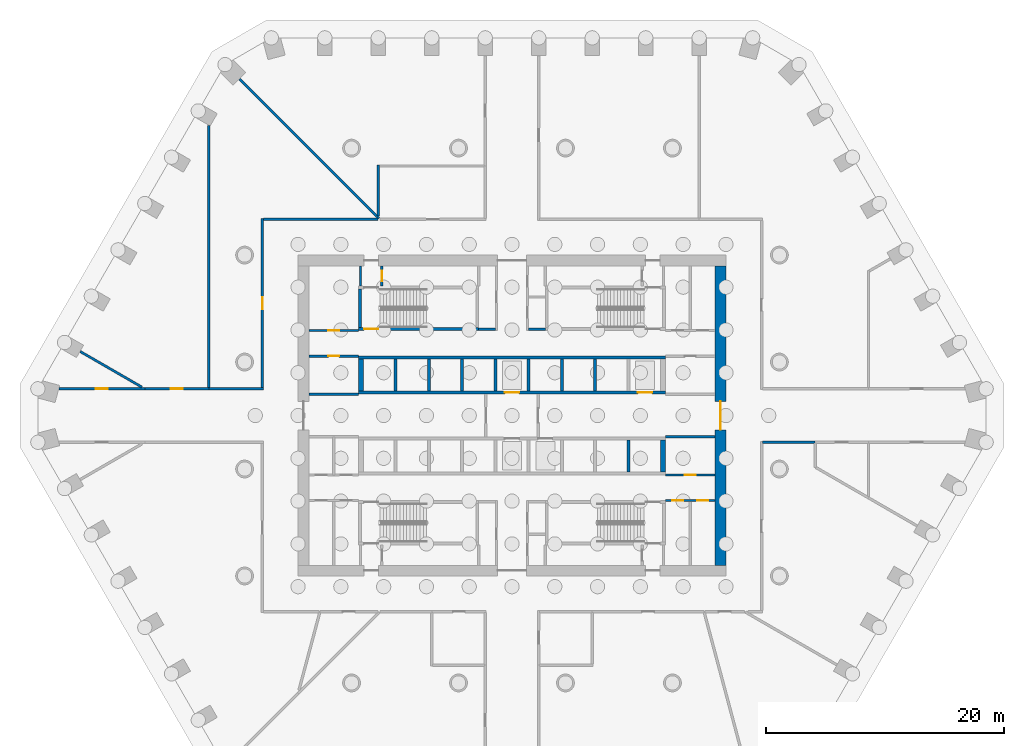
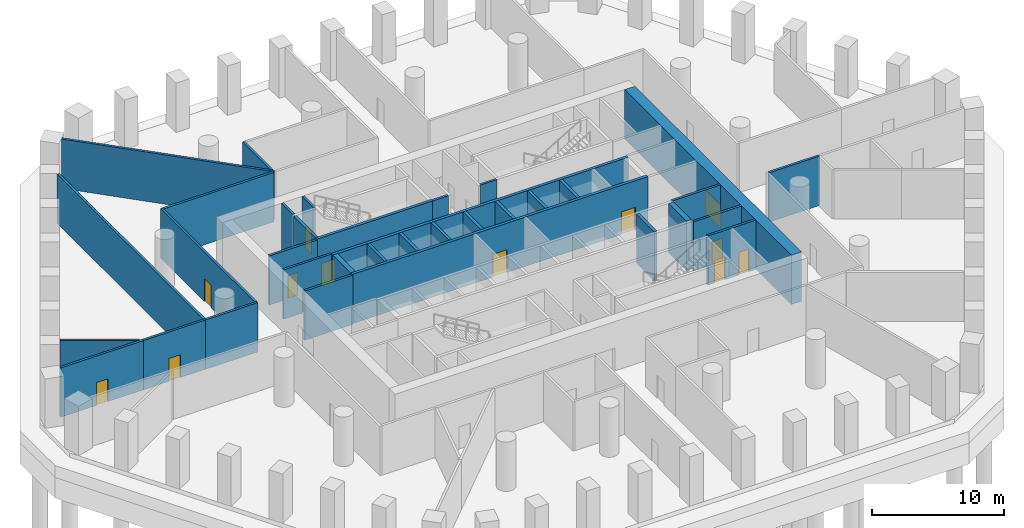
# One storey, part 5 of 9: 35 walls, 13 doors, 13 openings.
"""IFC4 building model written with IfcOpenShell, lengths in metres."""

from ifc_helpers import new_model, si_unit, direction, frame, frame_2d, origin, place, context, subcontext, project, spatial, polyline, rectangle, outline, extrude, material, layer, layer_set, type_object, element, fill, save


model = new_model("IFC4")

# Units and contexts
model_context = context("Model", 3, precision=1e-05, world=origin(), true_north=direction((0.0, 1.0)))
body_context = subcontext(model_context, "Body", "Model", "MODEL_VIEW")
ifc_project = project(units=[si_unit("LENGTHUNIT", "METRE"), si_unit("AREAUNIT", "SQUARE_METRE"), si_unit("VOLUMEUNIT", "CUBIC_METRE"), si_unit("PLANEANGLEUNIT", "RADIAN"), si_unit("MASSUNIT", "GRAM", prefix="KILO")], contexts=[model_context])

# Site, building, storey
site_placement = place(None, origin())
site = spatial("IfcSite", under=ifc_project, at=site_placement, CompositionType="ELEMENT")
building_placement = place(site_placement, origin())
building = spatial("IfcBuilding", under=site, at=building_placement, Name="Dhurran Vertical Campus", CompositionType="ELEMENT")
storey_placement = place(building_placement, frame((0.0, 0.0, -5.0)))
storey = spatial("IfcBuildingStorey", under=building, at=storey_placement, Name="B1", CompositionType="ELEMENT", Elevation=-5.0)

# Wall, opening, door
ifc_material_1 = material(Name="Concrete blockwork plant room wall, fire-rated", Category="masonry")
ifc_layer_1 = layer(ifc_material_1, 0.199951171875)
ifc_layer_set_1 = layer_set([ifc_layer_1], Name="Concrete blockwork plant room wall, fire-rated")
wall_type_1 = type_object("IfcWallType", Name="bs-PW-200 plant room wall", PredefinedType="PARTITIONING", material=ifc_layer_set_1)
wall_1_placement = place(storey_placement, frame((-38.115478515625, 2.25, 0.0), z_axis=(0.0, 0.0, 1.0), x_axis=(1.0, 0.0, 0.0)))
wall_1 = element("IfcWall", 1, at=wall_1_placement, inside=storey, type_object=wall_type_1, Name="Plant wall B1-02", PredefinedType="PARTITIONING", context=body_context, shape_type="SweptSolid", body=[
    extrude(rectangle(XDim=7.218505859375, YDim=0.199951171875, at=frame_2d((3.609375, 0.0))), origin(), (0.0, 0.0, 1.0), 4.550048828125),
])
opening_1_placement = place(wall_1_placement, frame((3.109130859375, 0.0, 0.0)))
opening_1 = element("IfcOpeningElement", 2, at=opening_1_placement, cuts=wall_1, Name="Opening BS.02", PredefinedType="OPENING", context=body_context, shape_type="SweptSolid", body=[
    extrude(rectangle(XDim=1.0, YDim=2.10009765625, at=frame_2d((0.5, 1.050048828125))), frame((0.0, 0.10986328125, 0.0), z_axis=(0.0, -1.0, 0.0), x_axis=(1.0, 0.0, 0.0)), (0.0, 0.0, 1.0), 0.219970703125),
])
ifc_material_2 = material(Name="Solid-core timber door set, fire-rated", Category="wood")
door_type_1 = type_object("IfcDoorType", Name="fl-D-1000x2100", OperationType="SINGLE_SWING_LEFT", PredefinedType="DOOR", material=ifc_material_2)
door_1_placement = place(opening_1_placement, origin())
door_1 = element("IfcDoor", 3, at=door_1_placement, inside=storey, type_object=door_type_1, Name="Door B1.02", OperationType="SINGLE_SWING_RIGHT", OverallHeight=2.10009765625, OverallWidth=1.0, PredefinedType="DOOR", context=body_context, shape_type="SweptSolid", body=[
    extrude(rectangle(XDim=1.0, YDim=2.10009765625, at=frame_2d((0.5, 1.050048828125))), frame((0.0, 0.02490234375, 0.0), z_axis=(0.0, -1.0, 0.0), x_axis=(1.0, 0.0, 0.0)), (0.0, 0.0, 1.0), 0.050048828125),
])
fill(opening_1, door_1)

# Wall
wall_2_placement = place(storey_placement, frame((-36.330810546875, 5.38720703125, 0.0), z_axis=(0.0, 0.0, 1.0), x_axis=(0.866018198007, -0.500012480565, 0.0)))
element("IfcWall", 4, at=wall_2_placement, inside=storey, type_object=wall_type_1, Name="Plant wall B1-04", PredefinedType="PARTITIONING", context=body_context, shape_type="SweptSolid", body=[
    extrude(rectangle(XDim=5.999267578125, YDim=0.199951171875, at=frame_2d((2.99951171875, 0.0))), origin(), (0.0, 0.0, 1.0), 4.550048828125),
])

# Wall, opening, door
wall_3_placement = place(storey_placement, frame((-30.89697265625, 2.25, 0.0), z_axis=(0.0, 0.0, 1.0), x_axis=(1.0, 0.0, 0.0)))
wall_3 = element("IfcWall", 5, at=wall_3_placement, inside=storey, type_object=wall_type_1, Name="Plant wall B1-06", PredefinedType="PARTITIONING", context=body_context, shape_type="SweptSolid", body=[
    extrude(rectangle(XDim=5.39697265625, YDim=0.199951171875, at=frame_2d((2.698486328125, 0.0))), origin(), (0.0, 0.0, 1.0), 4.550048828125),
])
opening_2_placement = place(wall_3_placement, frame((2.198486328125, 0.0, 0.0)))
opening_2 = element("IfcOpeningElement", 6, at=opening_2_placement, cuts=wall_3, Name="Opening BS.03", PredefinedType="OPENING", context=body_context, shape_type="SweptSolid", body=[
    extrude(rectangle(XDim=1.0, YDim=2.10009765625, at=frame_2d((0.5, 1.050048828125))), frame((0.0, 0.10986328125, 0.0), z_axis=(0.0, -1.0, 0.0), x_axis=(1.0, 0.0, 0.0)), (0.0, 0.0, 1.0), 0.219970703125),
])
door_2_placement = place(opening_2_placement, origin())
door_2 = element("IfcDoor", 7, at=door_2_placement, inside=storey, type_object=door_type_1, Name="Door B1.03", OperationType="SINGLE_SWING_LEFT", OverallHeight=2.10009765625, OverallWidth=1.0, PredefinedType="DOOR", context=body_context, shape_type="SweptSolid", body=[
    extrude(rectangle(XDim=1.0, YDim=2.10009765625, at=frame_2d((0.5, 1.050048828125))), frame((0.0, 0.02490234375, 0.0), z_axis=(0.0, -1.0, 0.0), x_axis=(1.0, 0.0, 0.0)), (0.0, 0.0, 1.0), 0.050048828125),
])
fill(opening_2, door_2)

# Walls
wall_4_placement = place(storey_placement, frame((-25.5, 24.398681640625, 0.0), z_axis=(0.0, 0.0, 1.0), x_axis=(0.0, -1.0, 0.0)))
element("IfcWall", 8, at=wall_4_placement, inside=storey, type_object=wall_type_1, Name="Plant wall B1-07", PredefinedType="PARTITIONING", context=body_context, shape_type="SweptSolid", body=[
    extrude(rectangle(XDim=22.07373046875, YDim=0.199951171875, at=frame_2d((11.036865234375, 0.0))), origin(), (0.0, 0.0, 1.0), 4.550048828125),
])
wall_5_placement = place(storey_placement, frame((-25.5, 2.25, 0.0), z_axis=(0.0, 0.0, 1.0), x_axis=(1.0, 0.0, 0.0)))
element("IfcWall", 9, at=wall_5_placement, inside=storey, type_object=wall_type_1, Name="Plant wall B1-08", PredefinedType="PARTITIONING", context=body_context, shape_type="SweptSolid", body=[
    extrude(rectangle(XDim=4.574951171875, YDim=0.199951171875, at=frame_2d((2.28759765625, 0.0))), origin(), (0.0, 0.0, 1.0), 4.550048828125),
])
wall_6_placement = place(storey_placement, frame((-22.93017578125, 28.31298828125, 0.0), z_axis=(0.0, 0.0, 1.0), x_axis=(0.707114137878, -0.707099424419, 0.0)))
element("IfcWall", 10, at=wall_6_placement, inside=storey, type_object=wall_type_1, Name="Plant wall B1-10", PredefinedType="PARTITIONING", context=body_context, shape_type="SweptSolid", body=[
    extrude(rectangle(XDim=16.593017578125, YDim=0.199951171875, at=frame_2d((8.29638671875, 0.0))), origin(), (0.0, 0.0, 1.0), 4.550048828125),
])

# Wall, opening, door
wall_7_placement = place(storey_placement, frame((-21.0, 16.574951171875, 0.0), z_axis=(0.0, 0.0, 1.0), x_axis=(0.0, -1.0, 0.0)))
wall_7 = element("IfcWall", 11, at=wall_7_placement, inside=storey, type_object=wall_type_1, Name="Plant wall B1-13", PredefinedType="PARTITIONING", context=body_context, shape_type="SweptSolid", body=[
    extrude(rectangle(XDim=14.25, YDim=0.199951171875, at=frame_2d((7.125, 0.0))), origin(), (0.0, 0.0, 1.0), 4.550048828125),
])
opening_3_placement = place(wall_7_placement, frame((6.625, 0.0, 0.0)))
opening_3 = element("IfcOpeningElement", 12, at=opening_3_placement, cuts=wall_7, Name="Opening BS.05", PredefinedType="OPENING", context=body_context, shape_type="SweptSolid", body=[
    extrude(rectangle(XDim=1.0, YDim=2.10009765625, at=frame_2d((0.5, 1.050048828125))), frame((0.0, 0.10986328125, 0.0), z_axis=(0.0, -1.0, 0.0), x_axis=(1.0, 0.0, 0.0)), (0.0, 0.0, 1.0), 0.219970703125),
])
door_3_placement = place(opening_3_placement, origin())
door_3 = element("IfcDoor", 13, at=door_3_placement, inside=storey, type_object=door_type_1, Name="Door B1.05", OperationType="SINGLE_SWING_LEFT", OverallHeight=2.10009765625, OverallWidth=1.0, PredefinedType="DOOR", context=body_context, shape_type="SweptSolid", body=[
    extrude(rectangle(XDim=1.0, YDim=2.10009765625, at=frame_2d((0.5, 1.050048828125))), frame((0.0, 0.02490234375, 0.0), z_axis=(0.0, -1.0, 0.0), x_axis=(1.0, 0.0, 0.0)), (0.0, 0.0, 1.0), 0.050048828125),
])
fill(opening_3, door_3)

# Walls
wall_8_placement = place(storey_placement, frame((-11.294921875, 16.5, 0.0), z_axis=(0.0, 0.0, 1.0), x_axis=(-1.0, 0.0, 0.0)))
element("IfcWall", 14, at=wall_8_placement, inside=storey, type_object=wall_type_1, Name="Plant wall B1-14", PredefinedType="PARTITIONING", context=body_context, shape_type="SweptSolid", body=[
    extrude(rectangle(XDim=9.630126953125, YDim=0.199951171875, at=frame_2d((4.81494140625, 0.0))), origin(), (0.0, 0.0, 1.0), 4.550048828125),
])
wall_9_placement = place(storey_placement, frame((-11.25, 21.074951171875, 0.0), z_axis=(0.0, 0.0, 1.0), x_axis=(0.0, -1.0, 0.0)))
element("IfcWall", 15, at=wall_9_placement, inside=storey, type_object=wall_type_1, Name="Plant wall B1-18", PredefinedType="PARTITIONING", context=body_context, shape_type="SweptSolid", body=[
    extrude(rectangle(XDim=4.266845703125, YDim=0.199951171875, at=frame_2d((2.13330078125, 0.0))), origin(), (0.0, 0.0, 1.0), 4.550048828125),
])
wall_10_placement = place(storey_placement, frame((25.5, -2.25, 0.0), z_axis=(0.0, 0.0, 1.0), x_axis=(-1.0, 0.0, 0.0)))
element("IfcWall", 16, at=wall_10_placement, inside=storey, type_object=wall_type_1, Name="Plant wall B1-44", PredefinedType="PARTITIONING", context=body_context, shape_type="SweptSolid", body=[
    extrude(rectangle(XDim=4.425048828125, YDim=0.199951171875, at=frame_2d((2.21240234375, 0.0))), origin(), (0.0, 0.0, 1.0), 4.550048828125),
])

# Wall, opening, door
ifc_material_3 = material(Name="Concrete C60/75", Category="concrete")
ifc_layer_2 = layer(ifc_material_3, 0.89990234375)
ifc_layer_set_2 = layer_set([ifc_layer_2], Name="Concrete C60/75")
wall_type_2 = type_object("IfcWallType", Name="co-CORE-WALL-C0-900", PredefinedType="SHEAR", material=ifc_layer_set_2)
wall_11_placement = place(storey_placement, frame((17.550048828125, -12.60009765625, 0.0), z_axis=(0.0, 0.0, 1.0), x_axis=(0.0, 1.0, 0.0)))
wall_11 = element("IfcWall", 17, at=wall_11_placement, inside=storey, type_object=wall_type_2, Name="Core wall E B1", PredefinedType="SHEAR", context=body_context, shape_type="SweptSolid", body=[
    extrude(rectangle(XDim=25.2001953125, YDim=0.89990234375, at=frame_2d((12.60009765625, 0.0))), origin(), (0.0, 0.0, 1.0), 4.550048828125),
])
opening_4_placement = place(wall_11_placement, frame((11.39990234375, 0.0, 0.0)))
opening_4 = element("IfcOpeningElement", 18, at=opening_4_placement, cuts=wall_11, Name="Opening CL2", PredefinedType="OPENING", context=body_context, shape_type="SweptSolid", body=[
    extrude(rectangle(XDim=2.39990234375, YDim=2.10009765625, at=frame_2d((1.199951171875, 1.050048828125))), frame((0.0, 0.4599609375, 0.0), z_axis=(0.0, -1.0, 0.0), x_axis=(1.0, 0.0, 0.0)), (0.0, 0.0, 1.0), 0.919921875),
])
ifc_material_4 = material(Name="Fire-rated glazed door set")
door_type_2 = type_object("IfcDoorType", Name="co-D-LOBBY 2400x2100", OperationType="DOUBLE_DOOR_DOUBLE_SWING", PredefinedType="DOOR", material=ifc_material_4)
door_4_placement = place(opening_4_placement, origin())
door_4 = element("IfcDoor", 19, at=door_4_placement, inside=storey, type_object=door_type_2, Name="Lift lobby door E B1", OperationType="DOUBLE_DOOR_DOUBLE_SWING", OverallHeight=2.10009765625, OverallWidth=2.39990234375, PredefinedType="DOOR", context=body_context, shape_type="SweptSolid", body=[
    extrude(rectangle(XDim=2.39990234375, YDim=2.10009765625, at=frame_2d((1.199951171875, 1.050048828125))), frame((0.0, 0.02490234375, 0.0), z_axis=(0.0, -1.0, 0.0), x_axis=(1.0, 0.0, 0.0)), (0.0, 0.0, 1.0), 0.050048828125),
])
fill(opening_4, door_4)

# Walls
ifc_material_5 = material(Name="Fire-rated masonry blockwork", Category="masonry")
ifc_layer_3 = layer(ifc_material_5, 0.199951171875)
ifc_layer_set_3 = layer_set([ifc_layer_3], Name="Fire-rated masonry blockwork")
wall_type_3 = type_object("IfcWallType", Name="co-FIRE-PARTITION-200", PredefinedType="PARTITIONING", material=ifc_layer_set_3)
for number, where, z_axis, x_axis, name in (
    (20, (-2.800048828125, 7.25, 0.0), (0.0, 0.0, 1.0), (1.0, 0.0, 0.0), "Core partition sl-NW-S B1"),
    (21, (1.39990234375, 7.25, 0.0), (0.0, 0.0, 1.0), (1.0, 0.0, 0.0), "Core partition sl-NE-S B1"),
):
    element("IfcWall", number, at=place(storey_placement, frame(where, z_axis=z_axis, x_axis=x_axis)), inside=storey, type_object=wall_type_3, Name=name, PredefinedType="PARTITIONING", context=body_context, shape_type="SweptSolid", body=[
        extrude(rectangle(XDim=1.400146484375, YDim=0.199951171875, at=frame_2d((0.7001953125, 0.0))), origin(), (0.0, 0.0, 1.0), 4.550048828125),
    ])
wall_12_placement = place(storey_placement, frame((-12.75, 10.89990234375, 0.0), z_axis=(0.0, 0.0, 1.0), x_axis=(0.0, 1.0, 0.0)))
element("IfcWall", 22, at=wall_12_placement, inside=storey, type_object=wall_type_3, Name="Core partition pass-ST1-o B1", PredefinedType="PARTITIONING", context=body_context, shape_type="SweptSolid", body=[
    extrude(rectangle(XDim=1.7001953125, YDim=0.199951171875, at=frame_2d((0.85009765625, 0.0))), origin(), (0.0, 0.0, 1.0), 4.550048828125),
])

# Wall, opening, door
wall_13_placement = place(storey_placement, frame((-10.949951171875, 10.89990234375, 0.0), z_axis=(0.0, 0.0, 1.0), x_axis=(0.0, 1.0, 0.0)))
wall_13 = element("IfcWall", 23, at=wall_13_placement, inside=storey, type_object=wall_type_3, Name="Core partition pass-ST1-i B1", PredefinedType="PARTITIONING", context=body_context, shape_type="SweptSolid", body=[
    extrude(rectangle(XDim=1.7001953125, YDim=0.199951171875, at=frame_2d((0.85009765625, 0.0))), origin(), (0.0, 0.0, 1.0), 4.550048828125),
])
opening_5_placement = place(wall_13_placement, frame((0.39990234375, 0.0, 0.0)))
opening_5 = element("IfcOpeningElement", 24, at=opening_5_placement, cuts=wall_13, Name="Opening BSMT-C7", PredefinedType="OPENING", context=body_context, shape_type="SweptSolid", body=[
    extrude(rectangle(XDim=0.89990234375, YDim=2.10009765625, at=frame_2d((0.449951171875, 1.050048828125))), frame((0.0, 0.10986328125, 0.0), z_axis=(0.0, -1.0, 0.0), x_axis=(1.0, 0.0, 0.0)), (0.0, 0.0, 1.0), 0.219970703125),
])
ifc_material_6 = material(Name="Fire-rated timber door set", Category="wood")
door_type_3 = type_object("IfcDoorType", Name="co-D-ROOM 900x2100", OperationType="SINGLE_SWING_LEFT", PredefinedType="DOOR", material=ifc_material_6)
door_5_placement = place(opening_5_placement, origin())
door_5 = element("IfcDoor", 25, at=door_5_placement, inside=storey, type_object=door_type_3, Name="Riser room door B1", OperationType="SINGLE_SWING_LEFT", OverallHeight=2.10009765625, OverallWidth=0.89990234375, PredefinedType="DOOR", context=body_context, shape_type="SweptSolid", body=[
    extrude(rectangle(XDim=0.89990234375, YDim=2.10009765625, at=frame_2d((0.449951171875, 1.050048828125))), frame((0.0, 0.02490234375, 0.0), z_axis=(0.0, -1.0, 0.0), x_axis=(1.0, 0.0, 0.0)), (0.0, 0.0, 1.0), 0.050048828125),
])
fill(opening_5, door_5)

wall_14_placement = place(storey_placement, frame((-17.10009765625, 7.14990234375, 0.0), z_axis=(0.0, 0.0, 1.0), x_axis=(1.0, 0.0, 0.0)))
wall_14 = element("IfcWall", 26, at=wall_14_placement, inside=storey, type_object=wall_type_3, Name="Core partition en-NW-w B1", PredefinedType="PARTITIONING", context=body_context, shape_type="SweptSolid", body=[
    extrude(rectangle(XDim=4.2001953125, YDim=0.199951171875, at=frame_2d((2.10009765625, 0.0))), origin(), (0.0, 0.0, 1.0), 4.550048828125),
])
opening_6_placement = place(wall_14_placement, frame((1.64990234375, 0.0, 0.0)))
opening_6 = element("IfcOpeningElement", 27, at=opening_6_placement, cuts=wall_14, Name="Opening BSMT-C11", PredefinedType="OPENING", context=body_context, shape_type="SweptSolid", body=[
    extrude(rectangle(XDim=0.89990234375, YDim=2.10009765625, at=frame_2d((0.449951171875, 1.050048828125))), frame((0.0, 0.10986328125, 0.0), z_axis=(0.0, -1.0, 0.0), x_axis=(1.0, 0.0, 0.0)), (0.0, 0.0, 1.0), 0.219970703125),
])
door_6_placement = place(opening_6_placement, origin())
door_6 = element("IfcDoor", 28, at=door_6_placement, inside=storey, type_object=door_type_3, Name="Pantry door B1", OperationType="SINGLE_SWING_LEFT", OverallHeight=2.10009765625, OverallWidth=0.89990234375, PredefinedType="DOOR", context=body_context, shape_type="SweptSolid", body=[
    extrude(rectangle(XDim=0.89990234375, YDim=2.10009765625, at=frame_2d((0.449951171875, 1.050048828125))), frame((0.0, 0.02490234375, 0.0), z_axis=(0.0, -1.0, 0.0), x_axis=(1.0, 0.0, 0.0)), (0.0, 0.0, 1.0), 0.050048828125),
])
fill(opening_6, door_6)

wall_15_placement = place(storey_placement, frame((-17.10009765625, 5.0, 0.0), z_axis=(0.0, 0.0, 1.0), x_axis=(1.0, 0.0, 0.0)))
wall_15 = element("IfcWall", 29, at=wall_15_placement, inside=storey, type_object=wall_type_3, Name="Core partition es-NW-w B1", PredefinedType="PARTITIONING", context=body_context, shape_type="SweptSolid", body=[
    extrude(rectangle(XDim=4.2001953125, YDim=0.199951171875, at=frame_2d((2.10009765625, 0.0))), origin(), (0.0, 0.0, 1.0), 4.550048828125),
])
opening_7_placement = place(wall_15_placement, frame((1.64990234375, 0.0, 0.0)))
opening_7 = element("IfcOpeningElement", 30, at=opening_7_placement, cuts=wall_15, Name="Opening BSMT-C12", PredefinedType="OPENING", context=body_context, shape_type="SweptSolid", body=[
    extrude(rectangle(XDim=0.89990234375, YDim=2.10009765625, at=frame_2d((0.449951171875, 1.050048828125))), frame((0.0, 0.10986328125, 0.0), z_axis=(0.0, -1.0, 0.0), x_axis=(1.0, 0.0, 0.0)), (0.0, 0.0, 1.0), 0.219970703125),
])
door_7_placement = place(opening_7_placement, origin())
door_7 = element("IfcDoor", 31, at=door_7_placement, inside=storey, type_object=door_type_3, Name="Housekeeping store door B1", OperationType="SINGLE_SWING_LEFT", OverallHeight=2.10009765625, OverallWidth=0.89990234375, PredefinedType="DOOR", context=body_context, shape_type="SweptSolid", body=[
    extrude(rectangle(XDim=0.89990234375, YDim=2.10009765625, at=frame_2d((0.449951171875, 1.050048828125))), frame((0.0, 0.02490234375, 0.0), z_axis=(0.0, -1.0, 0.0), x_axis=(1.0, 0.0, 0.0)), (0.0, 0.0, 1.0), 0.050048828125),
])
fill(opening_7, door_7)

# Wall
wall_16_placement = place(storey_placement, frame((-17.10009765625, 1.800048828125, 0.0), z_axis=(0.0, 0.0, 1.0), x_axis=(1.0, 0.0, 0.0)))
element("IfcWall", 32, at=wall_16_placement, inside=storey, type_object=wall_type_3, Name="Core partition es-NW-l B1", PredefinedType="PARTITIONING", context=body_context, shape_type="SweptSolid", body=[
    extrude(rectangle(XDim=4.2001953125, YDim=0.199951171875, at=frame_2d((2.10009765625, 0.0))), origin(), (0.0, 0.0, 1.0), 4.550048828125),
])

# Wall, openings, doors
wall_17_placement = place(storey_placement, frame((12.89990234375, -7.14990234375, 0.0), z_axis=(0.0, 0.0, 1.0), x_axis=(1.0, 0.0, 0.0)))
wall_17 = element("IfcWall", 33, at=wall_17_placement, inside=storey, type_object=wall_type_3, Name="Core partition en-SE-w B1", PredefinedType="PARTITIONING", context=body_context, shape_type="SweptSolid", body=[
    extrude(rectangle(XDim=4.2001953125, YDim=0.199951171875, at=frame_2d((2.10009765625, 0.0))), origin(), (0.0, 0.0, 1.0), 4.550048828125),
])
opening_8_placement = place(wall_17_placement, frame((0.60009765625, 0.0, 0.0)))
opening_8 = element("IfcOpeningElement", 34, at=opening_8_placement, cuts=wall_17, Name="Opening BSMT-C20", PredefinedType="OPENING", context=body_context, shape_type="SweptSolid", body=[
    extrude(rectangle(XDim=0.89990234375, YDim=2.10009765625, at=frame_2d((0.449951171875, 1.050048828125))), frame((0.0, 0.10986328125, 0.0), z_axis=(0.0, -1.0, 0.0), x_axis=(1.0, 0.0, 0.0)), (0.0, 0.0, 1.0), 0.219970703125),
])
opening_9_placement = place(wall_17_placement, frame((2.699951171875, 0.0, 0.0)))
opening_9 = element("IfcOpeningElement", 35, at=opening_9_placement, cuts=wall_17, Name="Opening BSMT-C21", PredefinedType="OPENING", context=body_context, shape_type="SweptSolid", body=[
    extrude(rectangle(XDim=0.89990234375, YDim=2.10009765625, at=frame_2d((0.449951171875, 1.050048828125))), frame((0.0, 0.10986328125, 0.0), z_axis=(0.0, -1.0, 0.0), x_axis=(1.0, 0.0, 0.0)), (0.0, 0.0, 1.0), 0.219970703125),
])
door_8_placement = place(opening_8_placement, origin())
door_8 = element("IfcDoor", 36, at=door_8_placement, inside=storey, type_object=door_type_3, Name="Electrical riser door B1", OperationType="SINGLE_SWING_LEFT", OverallHeight=2.10009765625, OverallWidth=0.89990234375, PredefinedType="DOOR", context=body_context, shape_type="SweptSolid", body=[
    extrude(rectangle(XDim=0.89990234375, YDim=2.10009765625, at=frame_2d((0.449951171875, 1.050048828125))), frame((0.0, 0.02490234375, 0.0), z_axis=(0.0, -1.0, 0.0), x_axis=(1.0, 0.0, 0.0)), (0.0, 0.0, 1.0), 0.050048828125),
])
fill(opening_8, door_8)
door_9_placement = place(opening_9_placement, origin())
door_9 = element("IfcDoor", 37, at=door_9_placement, inside=storey, type_object=door_type_3, Name="Server room door B1", OperationType="SINGLE_SWING_LEFT", OverallHeight=2.10009765625, OverallWidth=0.89990234375, PredefinedType="DOOR", context=body_context, shape_type="SweptSolid", body=[
    extrude(rectangle(XDim=0.89990234375, YDim=2.10009765625, at=frame_2d((0.449951171875, 1.050048828125))), frame((0.0, 0.02490234375, 0.0), z_axis=(0.0, -1.0, 0.0), x_axis=(1.0, 0.0, 0.0)), (0.0, 0.0, 1.0), 0.050048828125),
])
fill(opening_9, door_9)

# Wall, opening, door
wall_18_placement = place(storey_placement, frame((12.89990234375, -5.0, 0.0), z_axis=(0.0, 0.0, 1.0), x_axis=(1.0, 0.0, 0.0)))
wall_18 = element("IfcWall", 38, at=wall_18_placement, inside=storey, type_object=wall_type_3, Name="Core partition es-SE-w B1", PredefinedType="PARTITIONING", context=body_context, shape_type="SweptSolid", body=[
    extrude(rectangle(XDim=4.2001953125, YDim=0.199951171875, at=frame_2d((2.10009765625, 0.0))), origin(), (0.0, 0.0, 1.0), 4.550048828125),
])
opening_10_placement = place(wall_18_placement, frame((1.64990234375, 0.0, 0.0)))
opening_10 = element("IfcOpeningElement", 39, at=opening_10_placement, cuts=wall_18, Name="Opening BSMT-C22", PredefinedType="OPENING", context=body_context, shape_type="SweptSolid", body=[
    extrude(rectangle(XDim=0.89990234375, YDim=2.10009765625, at=frame_2d((0.449951171875, 1.050048828125))), frame((0.0, 0.10986328125, 0.0), z_axis=(0.0, -1.0, 0.0), x_axis=(1.0, 0.0, 0.0)), (0.0, 0.0, 1.0), 0.219970703125),
])
door_10_placement = place(opening_10_placement, origin())
door_10 = element("IfcDoor", 40, at=door_10_placement, inside=storey, type_object=door_type_3, Name="Pantry door B1", OperationType="SINGLE_SWING_LEFT", OverallHeight=2.10009765625, OverallWidth=0.89990234375, PredefinedType="DOOR", context=body_context, shape_type="SweptSolid", body=[
    extrude(rectangle(XDim=0.89990234375, YDim=2.10009765625, at=frame_2d((0.449951171875, 1.050048828125))), frame((0.0, 0.02490234375, 0.0), z_axis=(0.0, -1.0, 0.0), x_axis=(1.0, 0.0, 0.0)), (0.0, 0.0, 1.0), 0.050048828125),
])
fill(opening_10, door_10)

# Wall
wall_19_placement = place(storey_placement, frame((12.89990234375, -1.800048828125, 0.0), z_axis=(0.0, 0.0, 1.0), x_axis=(1.0, 0.0, 0.0)))
element("IfcWall", 41, at=wall_19_placement, inside=storey, type_object=wall_type_3, Name="Core partition es-SE-l B1", PredefinedType="PARTITIONING", context=body_context, shape_type="SweptSolid", body=[
    extrude(rectangle(XDim=4.2001953125, YDim=0.199951171875, at=frame_2d((2.10009765625, 0.0))), origin(), (0.0, 0.0, 1.0), 4.550048828125),
])

# Wall, openings, doors
ifc_material_7 = material(Name="Concrete C50/60", Category="concrete")
ifc_layer_4 = layer(ifc_material_7, 0.25)
ifc_layer_set_4 = layer_set([ifc_layer_4], Name="Concrete C50/60")
wall_type_4 = type_object("IfcWallType", Name="co-SHAFT-FRONT-250", PredefinedType="SHEAR", material=ifc_layer_set_4)
wall_20_placement = place(storey_placement, frame((-12.89990234375, 1.925048828125, 0.0), z_axis=(0.0, 0.0, 1.0), x_axis=(1.0, 0.0, 0.0)))
wall_20 = element("IfcWall", 42, at=wall_20_placement, inside=storey, type_object=wall_type_4, Name="Lift landing wall N B1", PredefinedType="SHEAR", context=body_context, shape_type="SweptSolid", body=[
    extrude(rectangle(XDim=25.7998046875, YDim=0.25, at=frame_2d((12.89990234375, 0.0))), origin(), (0.0, 0.0, 1.0), 4.550048828125),
])
opening_11_placement = place(wall_20_placement, frame((12.300048828125, 0.0, 0.0)))
opening_11 = element("IfcOpeningElement", 43, at=opening_11_placement, cuts=wall_20, Name="Opening LD", PredefinedType="OPENING", context=body_context, shape_type="SweptSolid", body=[
    extrude(rectangle(XDim=1.199951171875, YDim=2.10009765625, at=frame_2d((0.60009765625, 1.050048828125))), frame((0.0, 0.135009765625, 0.0), z_axis=(0.0, -1.0, 0.0), x_axis=(1.0, 0.0, 0.0)), (0.0, 0.0, 1.0), 0.27001953125),
])
opening_12_placement = place(wall_20_placement, frame((23.5, 0.0, 0.0)))
opening_12 = element("IfcOpeningElement", 44, at=opening_12_placement, cuts=wall_20, Name="Opening LD", PredefinedType="OPENING", context=body_context, shape_type="SweptSolid", body=[
    extrude(rectangle(XDim=1.199951171875, YDim=2.10009765625, at=frame_2d((0.60009765625, 1.050048828125))), frame((0.0, 0.135009765625, 0.0), z_axis=(0.0, -1.0, 0.0), x_axis=(1.0, 0.0, 0.0)), (0.0, 0.0, 1.0), 0.27001953125),
])
ifc_material_8 = material(Name="Stainless steel landing door", Category="steel")
door_type_4 = type_object("IfcDoorType", Name="co-D-LANDING 1200x2100", OperationType="DOUBLE_DOOR_SLIDING", PredefinedType="DOOR", material=ifc_material_8)
door_11_placement = place(opening_11_placement, origin())
door_11 = element("IfcDoor", 45, at=door_11_placement, inside=storey, type_object=door_type_4, Name="Landing door FF1 B1", OperationType="DOUBLE_DOOR_SLIDING", OverallHeight=2.10009765625, OverallWidth=1.199951171875, PredefinedType="DOOR", context=body_context, shape_type="SweptSolid", body=[
    extrude(rectangle(XDim=1.199951171875, YDim=2.10009765625, at=frame_2d((0.60009765625, 1.050048828125))), frame((0.0, 0.02490234375, 0.0), z_axis=(0.0, -1.0, 0.0), x_axis=(1.0, 0.0, 0.0)), (0.0, 0.0, 1.0), 0.050048828125),
])
fill(opening_11, door_11)
door_12_placement = place(opening_12_placement, origin())
door_12 = element("IfcDoor", 46, at=door_12_placement, inside=storey, type_object=door_type_4, Name="Landing door SV2 B1", OperationType="DOUBLE_DOOR_SLIDING", OverallHeight=2.10009765625, OverallWidth=1.199951171875, PredefinedType="DOOR", context=body_context, shape_type="SweptSolid", body=[
    extrude(rectangle(XDim=1.199951171875, YDim=2.10009765625, at=frame_2d((0.60009765625, 1.050048828125))), frame((0.0, 0.02490234375, 0.0), z_axis=(0.0, -1.0, 0.0), x_axis=(1.0, 0.0, 0.0)), (0.0, 0.0, 1.0), 0.050048828125),
])
fill(opening_12, door_12)

# Walls
ifc_material_9 = material(Name="Concrete C50/60", Category="concrete")
ifc_layer_5 = layer(ifc_material_9, 0.25)
ifc_layer_set_5 = layer_set([ifc_layer_5], Name="Concrete C50/60")
wall_type_5 = type_object("IfcWallType", Name="co-SHAFT-MASS-250", PredefinedType="SHEAR", material=ifc_layer_set_5)
wall_21_placement = place(storey_placement, origin())
element("IfcWall", 47, at=wall_21_placement, inside=storey, type_object=wall_type_5, Name="Lift shaft wall N B1 1", PredefinedType="SHEAR", context=body_context, shape_type="SweptSolid", body=[
    extrude(outline(polyline([(-12.89990234375, 4.75), (12.89990234375, 4.75), (12.89990234375, 5.0), (-12.89990234375, 5.0), (-12.89990234375, 4.75)])), origin(), (0.0, 0.0, 1.0), 4.550048828125),
])
wall_22_placement = place(storey_placement, origin())
element("IfcWall", 48, at=wall_22_placement, inside=storey, type_object=wall_type_5, Name="Lift shaft wall N B1 2", PredefinedType="SHEAR", context=body_context, shape_type="SweptSolid", body=[
    extrude(outline(polyline([(-12.89990234375, 2.050048828125), (-12.47509765625, 2.050048828125), (-12.47509765625, 4.75), (-12.89990234375, 4.75), (-12.89990234375, 2.050048828125)])), origin(), (0.0, 0.0, 1.0), 4.550048828125),
])
wall_23_placement = place(storey_placement, origin())
element("IfcWall", 49, at=wall_23_placement, inside=storey, type_object=wall_type_5, Name="Lift shaft wall N B1 3", PredefinedType="SHEAR", context=body_context, shape_type="SweptSolid", body=[
    extrude(outline(polyline([(-9.925048828125, 2.050048828125), (-9.675048828125, 2.050048828125), (-9.675048828125, 4.75), (-9.925048828125, 4.75), (-9.925048828125, 2.050048828125)])), origin(), (0.0, 0.0, 1.0), 4.550048828125),
])
wall_24_placement = place(storey_placement, origin())
element("IfcWall", 50, at=wall_24_placement, inside=storey, type_object=wall_type_5, Name="Lift shaft wall N B1 4", PredefinedType="SHEAR", context=body_context, shape_type="SweptSolid", body=[
    extrude(outline(polyline([(-7.125, 2.050048828125), (-6.875, 2.050048828125), (-6.875, 4.75), (-7.125, 4.75), (-7.125, 2.050048828125)])), origin(), (0.0, 0.0, 1.0), 4.550048828125),
])
wall_25_placement = place(storey_placement, origin())
element("IfcWall", 51, at=wall_25_placement, inside=storey, type_object=wall_type_5, Name="Lift shaft wall N B1 5", PredefinedType="SHEAR", context=body_context, shape_type="SweptSolid", body=[
    extrude(outline(polyline([(-4.324951171875, 2.050048828125), (-4.074951171875, 2.050048828125), (-4.074951171875, 4.75), (-4.324951171875, 4.75), (-4.324951171875, 2.050048828125)])), origin(), (0.0, 0.0, 1.0), 4.550048828125),
])
wall_26_placement = place(storey_placement, origin())
element("IfcWall", 52, at=wall_26_placement, inside=storey, type_object=wall_type_5, Name="Lift shaft wall N B1 6", PredefinedType="SHEAR", context=body_context, shape_type="SweptSolid", body=[
    extrude(outline(polyline([(-1.52490234375, 2.050048828125), (-1.27490234375, 2.050048828125), (-1.27490234375, 4.75), (-1.52490234375, 4.75), (-1.52490234375, 2.050048828125)])), origin(), (0.0, 0.0, 1.0), 4.550048828125),
])
wall_27_placement = place(storey_placement, origin())
element("IfcWall", 53, at=wall_27_placement, inside=storey, type_object=wall_type_5, Name="Lift shaft wall N B1 7", PredefinedType="SHEAR", context=body_context, shape_type="SweptSolid", body=[
    extrude(outline(polyline([(1.27490234375, 2.050048828125), (1.52490234375, 2.050048828125), (1.52490234375, 4.75), (1.27490234375, 4.75), (1.27490234375, 2.050048828125)])), origin(), (0.0, 0.0, 1.0), 4.550048828125),
])
wall_28_placement = place(storey_placement, origin())
element("IfcWall", 54, at=wall_28_placement, inside=storey, type_object=wall_type_5, Name="Lift shaft wall N B1 8", PredefinedType="SHEAR", context=body_context, shape_type="SweptSolid", body=[
    extrude(outline(polyline([(4.074951171875, 2.050048828125), (4.324951171875, 2.050048828125), (4.324951171875, 4.75), (4.074951171875, 4.75), (4.074951171875, 2.050048828125)])), origin(), (0.0, 0.0, 1.0), 4.550048828125),
])
wall_29_placement = place(storey_placement, origin())
element("IfcWall", 55, at=wall_29_placement, inside=storey, type_object=wall_type_5, Name="Lift shaft wall N B1 9", PredefinedType="SHEAR", context=body_context, shape_type="SweptSolid", body=[
    extrude(outline(polyline([(6.875, 2.050048828125), (7.125, 2.050048828125), (7.125, 4.75), (6.875, 4.75), (6.875, 2.050048828125)])), origin(), (0.0, 0.0, 1.0), 4.550048828125),
])
wall_30_placement = place(storey_placement, origin())
element("IfcWall", 56, at=wall_30_placement, inside=storey, type_object=wall_type_5, Name="Lift shaft wall S B1 10", PredefinedType="SHEAR", context=body_context, shape_type="SweptSolid", body=[
    extrude(outline(polyline([(9.675048828125, -4.75), (9.925048828125, -4.75), (9.925048828125, -2.050048828125), (9.675048828125, -2.050048828125), (9.675048828125, -4.75)])), origin(), (0.0, 0.0, 1.0), 4.550048828125),
])
wall_31_placement = place(storey_placement, origin())
element("IfcWall", 57, at=wall_31_placement, inside=storey, type_object=wall_type_5, Name="Lift shaft wall S B1 11", PredefinedType="SHEAR", context=body_context, shape_type="SweptSolid", body=[
    extrude(outline(polyline([(12.47509765625, -4.75), (12.89990234375, -4.75), (12.89990234375, -2.050048828125), (12.47509765625, -2.050048828125), (12.47509765625, -4.75)])), origin(), (0.0, 0.0, 1.0), 4.550048828125),
])

# Wall, opening, door
ifc_material_10 = material(Name="Concrete C40/50", Category="concrete")
ifc_layer_6 = layer(ifc_material_10, 0.25)
ifc_layer_set_6 = layer_set([ifc_layer_6], Name="Concrete C40/50")
wall_type_6 = type_object("IfcWallType", Name="co-STAIR-WALL-250", PredefinedType="SHEAR", material=ifc_layer_set_6)
wall_32_placement = place(storey_placement, frame((-12.89990234375, 7.27490234375, 0.0), z_axis=(0.0, 0.0, 1.0), x_axis=(1.0, 0.0, 0.0)))
wall_32 = element("IfcWall", 58, at=wall_32_placement, inside=storey, type_object=wall_type_6, Name="Stair ST1 enclosure wall B1", PredefinedType="SHEAR", context=body_context, shape_type="SweptSolid", body=[
    extrude(rectangle(XDim=10.099853515625, YDim=0.25, at=frame_2d((5.0498046875, 0.0))), origin(), (0.0, 0.0, 1.0), 4.550048828125),
])
opening_13_placement = place(wall_32_placement, frame((0.449951171875, 0.0, 0.0)))
opening_13 = element("IfcOpeningElement", 59, at=opening_13_placement, cuts=wall_32, Name="Opening SD1", PredefinedType="OPENING", context=body_context, shape_type="SweptSolid", body=[
    extrude(rectangle(XDim=1.199951171875, YDim=2.10009765625, at=frame_2d((0.60009765625, 1.050048828125))), frame((0.0, 0.135009765625, 0.0), z_axis=(0.0, -1.0, 0.0), x_axis=(1.0, 0.0, 0.0)), (0.0, 0.0, 1.0), 0.27001953125),
])
ifc_material_11 = material(Name="Fire-rated steel door set", Category="steel")
door_type_5 = type_object("IfcDoorType", Name="co-D-STAIR 1200x2100", OperationType="SINGLE_SWING_LEFT", PredefinedType="DOOR", material=ifc_material_11)
door_13_placement = place(opening_13_placement, origin())
door_13 = element("IfcDoor", 60, at=door_13_placement, inside=storey, type_object=door_type_5, Name="Stair ST1 door B1", OperationType="SINGLE_SWING_LEFT", OverallHeight=2.10009765625, OverallWidth=1.199951171875, PredefinedType="DOOR", context=body_context, shape_type="SweptSolid", body=[
    extrude(rectangle(XDim=1.199951171875, YDim=2.10009765625, at=frame_2d((0.60009765625, 1.050048828125))), frame((0.0, 0.02490234375, 0.0), z_axis=(0.0, -1.0, 0.0), x_axis=(1.0, 0.0, 0.0)), (0.0, 0.0, 1.0), 0.050048828125),
])
fill(opening_13, door_13)

# Wall
wall_33_placement = place(storey_placement, frame((-12.77490234375, 7.39990234375, 0.0), z_axis=(0.0, 0.0, 1.0), x_axis=(0.0, 1.0, 0.0)))
element("IfcWall", 61, at=wall_33_placement, inside=storey, type_object=wall_type_6, Name="Stair ST1 enclosure wall B1", PredefinedType="SHEAR", context=body_context, shape_type="SweptSolid", body=[
    extrude(rectangle(XDim=3.25, YDim=0.25, at=frame_2d((1.625, 0.0))), origin(), (0.0, 0.0, 1.0), 4.550048828125),
])

save(model, "model.ifc")
